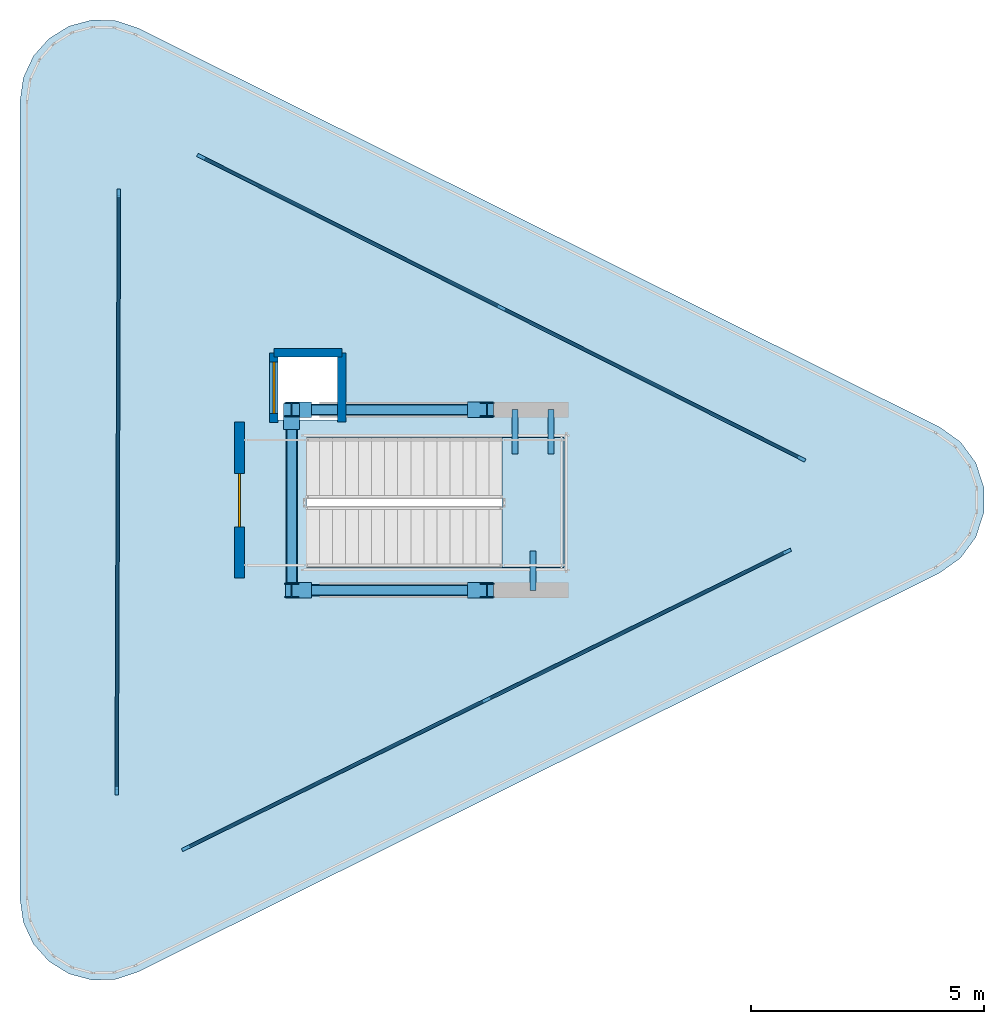
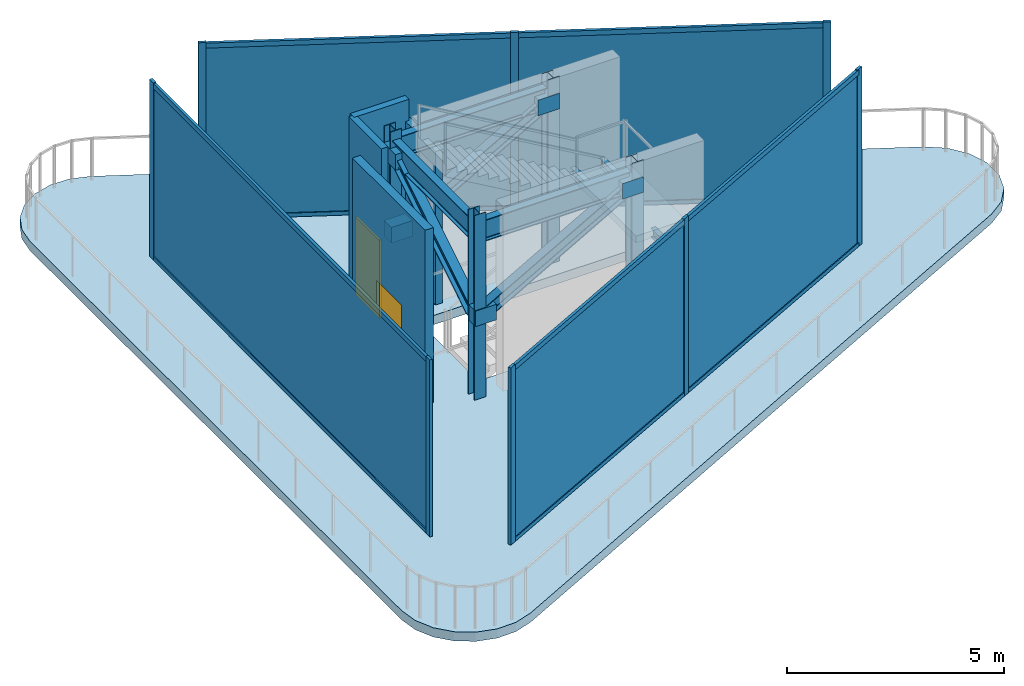
# One storey, part 1 of 3: 21 members, 10 plates, 6 beams, 4 columns, 4 walls, 2 doors, 2 slabs, 2 openings, 4 elements without a shape of their own.
"""IFC4 building model written with IfcOpenShell, lengths in metres."""

from ifc_helpers import new_model, si_unit, direction, frame, frame_2d, origin, origin_2d, place, context, subcontext, project, spatial, polyline, rectangle, i_section, outline, extrude, source, transform, mapped, material, layer, layer_set, material_profile, profile_set, type_object, element, fill, aggregate, save


model = new_model("IFC4")

# Units and contexts
model_context = context("Model", 3, precision=1e-05, world=origin(), true_north=direction((0.0, 1.0)))
body_context = subcontext(model_context, "Body", "Model", "MODEL_VIEW")
ifc_project = project(units=[si_unit("LENGTHUNIT", "METRE"), si_unit("AREAUNIT", "SQUARE_METRE"), si_unit("VOLUMEUNIT", "CUBIC_METRE"), si_unit("PLANEANGLEUNIT", "RADIAN"), si_unit("MASSUNIT", "GRAM", prefix="KILO")], contexts=[model_context])

# Site, building, storey
site_placement = place(None, origin())
site = spatial("IfcSite", under=ifc_project, at=site_placement, CompositionType="ELEMENT")
building_placement = place(site_placement, origin())
building = spatial("IfcBuilding", under=site, at=building_placement, Name="Yunling Apex Tower", CompositionType="ELEMENT")
storey_placement = place(building_placement, frame((0.0, 0.0, 333.449951171875)))
storey = spatial("IfcBuildingStorey", under=building, at=storey_placement, Name="C04", CompositionType="ELEMENT", Elevation=333.449951171875)

# Columns
ifc_material_1 = material(Name="Steel Q355B", Category="steel")
ifc_material_profile_1 = material_profile(ifc_material_1, i_section(OverallWidth=0.300048828125, OverallDepth=0.300048828125, WebThickness=0.010009765625, FlangeThickness=0.014892578125, FilletRadius=0.01806640625, at=origin_2d()))
ifc_profile_set_1 = profile_set([ifc_material_profile_1], Name="Steel Q355B")
column_type = type_object("IfcColumnType", Name="CC-STL-3", PredefinedType="COLUMN", material=ifc_profile_set_1)
shared_shape_1 = source(origin(), body_context, "Body", "SweptSolid", [
    extrude(i_section(OverallWidth=0.300048828125, OverallDepth=0.300048828125, WebThickness=0.010009765625, FlangeThickness=0.014892578125, FilletRadius=0.01806640625, at=origin_2d()), origin(), (0.0, 0.0, 1.0), 5.199951171875),
])
for number, where, z_axis, x_axis, name in (
    (1, (-1.800048828125, -1.93994140625, 0.0), (0.0, 0.0, 1.0), (1.0, 0.0, 0.0), "C04 Crown Core Column CT1"),
    (2, (2.39990234375, 1.93994140625, 0.0), (0.0, 0.0, 1.0), (1.0, 0.0, 0.0), "C04 Crown Core Column CT2"),
    (3, (2.39990234375, -1.93994140625, 0.0), (0.0, 0.0, 1.0), (1.0, 0.0, 0.0), "C04 Crown Core Column CT3"),
    (4, (-1.800048828125, 1.93994140625, 0.0), (0.0, 0.0, 1.0), (1.0, 0.0, 0.0), "C04 Crown Core Column CT4"),
):
    element("IfcColumn", number, at=place(storey_placement, frame(where, z_axis=z_axis, x_axis=x_axis)), inside=storey, type_object=column_type, Name=name, PredefinedType="COLUMN", context=body_context, shape_type="MappedRepresentation", body=[
        mapped(shared_shape_1, transform((0.0, 0.0, 0.0), scale=1.0)),
    ])

# Beams
ifc_material_profile_2 = material_profile(ifc_material_1, i_section(OverallWidth=0.125, OverallDepth=0.25, WebThickness=0.006103515625, FlangeThickness=0.009033203125, FilletRadius=0.011962890625, at=origin_2d()))
ifc_profile_set_2 = profile_set([ifc_material_profile_2], Name="Steel Q355B")
beam_type_1 = type_object("IfcBeamType", Name="BL-LNT-1", PredefinedType="LINTEL", material=ifc_profile_set_2)
shared_shape_2 = source(origin(), body_context, "Body", "SweptSolid", [
    extrude(i_section(OverallWidth=0.125, OverallDepth=0.25, WebThickness=0.006103515625, FlangeThickness=0.009033203125, FilletRadius=0.011962890625, at=origin_2d()), origin(), (0.0, 0.0, 1.0), 0.949951171875),
])
for number, where, z_axis, x_axis, name in (
    (5, (3.0, 1.93994140625, 2.280029296875), (0.0, -1.0, 0.0), (1.0, 0.0, 0.0), "C04 ST-C1 Landing Bearing Corbel 1-1"),
    (6, (3.77001953125, 1.93994140625, 2.280029296875), (0.0, -1.0, 0.0), (1.0, 0.0, 0.0), "C04 ST-C1 Landing Bearing Corbel 1-2"),
):
    element("IfcBeam", number, at=place(storey_placement, frame(where, z_axis=z_axis, x_axis=x_axis)), inside=storey, type_object=beam_type_1, Name=name, PredefinedType="LINTEL", context=body_context, shape_type="MappedRepresentation", body=[
        mapped(shared_shape_2, transform((0.0, 0.0, 0.0), scale=1.0)),
    ])
shared_shape_3 = source(origin(), body_context, "Body", "SweptSolid", [
    extrude(i_section(OverallWidth=0.125, OverallDepth=0.25, WebThickness=0.006103515625, FlangeThickness=0.009033203125, FilletRadius=0.011962890625, at=origin_2d()), origin(), (0.0, 0.0, 1.0), 0.83984375),
])
beam_1_placement = place(storey_placement, frame((3.385009765625, -1.93994140625, 2.280029296875), z_axis=(0.0, 1.0, 0.0), x_axis=(-1.0, 0.0, 0.0)))
element("IfcBeam", 7, at=beam_1_placement, inside=storey, type_object=beam_type_1, Name="C04 ST-C1 Landing Bearing Corbel 1-3", PredefinedType="LINTEL", context=body_context, shape_type="MappedRepresentation", body=[
    mapped(shared_shape_3, transform((0.0, 0.0, 0.0), scale=1.0)),
])
ifc_material_profile_3 = material_profile(ifc_material_1, i_section(OverallWidth=0.199951171875, OverallDepth=0.60009765625, WebThickness=0.010986328125, FlangeThickness=0.01708984375, FilletRadius=0.02197265625, at=origin_2d()))
ifc_profile_set_3 = profile_set([ifc_material_profile_3], Name="Steel Q355B")
beam_type_2 = type_object("IfcBeamType", Name="BG-PRI-5", PredefinedType="USERDEFINED", material=ifc_profile_set_3)
shared_shape_4 = source(origin(), body_context, "Body", "SweptSolid", [
    extrude(i_section(OverallWidth=0.199951171875, OverallDepth=0.60009765625, WebThickness=0.010986328125, FlangeThickness=0.01708984375, FilletRadius=0.02197265625, at=origin_2d()), origin(), (0.0, 0.0, 1.0), 3.909912109375),
])
for number, where, z_axis, x_axis, name in (
    (8, (-1.655029296875, 1.93994140625, 4.64013671875), (1.0, 0.0, 0.0), (0.0, 1.0, 0.0), "C04 Crown Core Support Girder 1"),
    (9, (-1.655029296875, -1.93994140625, 4.64013671875), (1.0, 0.0, 0.0), (0.0, 1.0, 0.0), "C04 Crown Core Support Girder 2"),
):
    element("IfcBeam", number, at=place(storey_placement, frame(where, z_axis=z_axis, x_axis=x_axis)), inside=storey, type_object=beam_type_2, Name=name, ObjectType="GIRDER", PredefinedType="USERDEFINED", context=body_context, shape_type="MappedRepresentation", body=[
        mapped(shared_shape_4, transform((0.0, 0.0, 0.0), scale=1.0)),
    ])
shared_shape_5 = source(origin(), body_context, "Body", "SweptSolid", [
    extrude(i_section(OverallWidth=0.199951171875, OverallDepth=0.60009765625, WebThickness=0.010986328125, FlangeThickness=0.01708984375, FilletRadius=0.02197265625, at=origin_2d()), origin(), (0.0, 0.0, 1.0), 3.58984375),
])
beam_2_placement = place(storey_placement, frame((-1.800048828125, -1.794921875, 4.64013671875), z_axis=(0.0, 1.0, 0.0), x_axis=(-1.0, 0.0, 0.0)))
element("IfcBeam", 10, at=beam_2_placement, inside=storey, type_object=beam_type_2, Name="C04 Crown Core Support Girder 3", ObjectType="GIRDER", PredefinedType="USERDEFINED", context=body_context, shape_type="MappedRepresentation", body=[
    mapped(shared_shape_5, transform((0.0, 0.0, 0.0), scale=1.0)),
])

# Members
ifc_material_profile_4 = material_profile(ifc_material_1, i_section(OverallWidth=0.25, OverallDepth=0.35009765625, WebThickness=0.011962890625, FlangeThickness=0.02001953125, FilletRadius=0.01611328125, at=origin_2d()))
ifc_profile_set_4 = profile_set([ifc_material_profile_4], Name="Steel Q355B")
member_type_1 = type_object("IfcMemberType", Name="CR-RIB-2", PredefinedType="RAFTER", material=ifc_profile_set_4)
shared_shape_6 = source(origin(), body_context, "Body", "SweptSolid", [
    extrude(i_section(OverallWidth=0.25, OverallDepth=0.35009765625, WebThickness=0.011962890625, FlangeThickness=0.02001953125, FilletRadius=0.01611328125, at=origin_2d()), origin(), (0.0, 0.0, 1.0), 4.49609375),
])
for number, where, z_axis, x_axis, name in (
    (11, (-1.655029296875, -1.93994140625, 2.300048828125), (0.869606524718, 0.0, 0.493745371793), (0.0, 1.0, 0.0), "C04 Crown Upper Structural Rafter 1"),
    (12, (-1.655029296875, 1.93994140625, 2.300048828125), (0.869606524718, 0.0, 0.493745371793), (0.0, 1.0, 0.0), "C04 Crown Upper Structural Rafter 2"),
):
    element("IfcMember", number, at=place(storey_placement, frame(where, z_axis=z_axis, x_axis=x_axis)), inside=storey, type_object=member_type_1, Name=name, PredefinedType="RAFTER", context=body_context, shape_type="MappedRepresentation", body=[
        mapped(shared_shape_6, transform((0.0, 0.0, 0.0), scale=1.0)),
    ])
shared_shape_7 = source(origin(), body_context, "Body", "SweptSolid", [
    extrude(i_section(OverallWidth=0.25, OverallDepth=0.35009765625, WebThickness=0.011962890625, FlangeThickness=0.02001953125, FilletRadius=0.01611328125, at=origin_2d()), origin(), (0.0, 0.0, 1.0), 4.220703125),
])
member_1_placement = place(storey_placement, frame((-1.800048828125, -1.794921875, 2.300048828125), z_axis=(0.0, 0.850510361782, 0.5259582916), x_axis=(-1.0, 0.0, 0.0)))
element("IfcMember", 13, at=member_1_placement, inside=storey, type_object=member_type_1, Name="C04 Crown Upper Structural Rafter 3", PredefinedType="RAFTER", context=body_context, shape_type="MappedRepresentation", body=[
    mapped(shared_shape_7, transform((0.0, 0.0, 0.0), scale=1.0)),
])

# Curtain wall, members
ifc_material_2 = material(Name="Bronze anodised aluminium", Category="aluminium")
ifc_layer_1 = layer(ifc_material_2, 0.179931640625)
ifc_layer_set_1 = layer_set([ifc_layer_1], Name="Bronze anodised aluminium")
curtain_wall_type = type_object("IfcCurtainWallType", Name="CW-SYS-6", PredefinedType="NOTDEFINED", material=ifc_layer_set_1)
curtain_wall_1_placement = place(storey_placement, origin())
curtain_wall_1 = element("IfcCurtainWall", 14, at=curtain_wall_1_placement, inside=storey, type_object=curtain_wall_type, Name="CW-C04-01", PredefinedType="NOTDEFINED")
ifc_material_profile_5 = material_profile(ifc_material_2, rectangle(XDim=0.074951171875, YDim=0.179931640625, at=origin_2d()))
ifc_profile_set_5 = profile_set([ifc_material_profile_5], Name="Bronze anodised aluminium")
member_type_2 = type_object("IfcMemberType", Name="CW-MUL-6", PredefinedType="MULLION", material=ifc_profile_set_5)
shared_shape_8 = source(origin(), body_context, "Body", "SweptSolid", [
    extrude(rectangle(XDim=0.074951171875, YDim=0.179931640625, at=origin_2d()), origin(), (0.0, 0.0, 1.0), 5.0400390625),
])
member_2_placement = place(storey_placement, frame((-5.55908203125, -6.248046875, -0.050048828125), z_axis=(0.0, 0.0, 1.0), x_axis=(-0.999992743057, 0.003809702649, 0.0)))
member_2 = element("IfcMember", 15, at=member_2_placement, type_object=member_type_2, Name="CW-SYS-6 mullion 1", PredefinedType="MULLION", context=body_context, shape_type="MappedRepresentation", body=[
    mapped(shared_shape_8, transform((0.0, 0.0, 0.0), scale=1.0)),
])
member_3_placement = place(storey_placement, frame((-5.51025390625, 6.59130859375, -0.050048828125), z_axis=(0.0, 0.0, 1.0), x_axis=(-0.999992743057, 0.003809702649, 0.0)))
member_3 = element("IfcMember", 16, at=member_3_placement, type_object=member_type_2, Name="CW-SYS-6 mullion 2", PredefinedType="MULLION", context=body_context, shape_type="MappedRepresentation", body=[
    mapped(shared_shape_8, transform((0.0, 0.0, 0.0), scale=1.0)),
])

curtain_wall_2_placement = place(storey_placement, origin())
curtain_wall_2 = element("IfcCurtainWall", 17, at=curtain_wall_2_placement, inside=storey, type_object=curtain_wall_type, Name="CW-C04-05", PredefinedType="NOTDEFINED")
member_4_placement = place(storey_placement, frame((-3.743408203125, 7.37255859375, -0.050048828125), z_axis=(0.0, 0.0, 1.0), x_axis=(0.449197104279, 0.893432684374, 0.0)))
member_4 = element("IfcMember", 18, at=member_4_placement, type_object=member_type_2, Name="CW-SYS-6 mullion 1", PredefinedType="MULLION", context=body_context, shape_type="MappedRepresentation", body=[
    mapped(shared_shape_8, transform((0.0, 0.0, 0.0), scale=1.0)),
])
member_5_placement = place(storey_placement, frame((2.70556640625, 4.1298828125, -0.050048828125), z_axis=(0.0, 0.0, 1.0), x_axis=(0.449197104279, 0.893432684374, 0.0)))
member_5 = element("IfcMember", 19, at=member_5_placement, type_object=member_type_2, Name="CW-SYS-6 mullion 2", PredefinedType="MULLION", context=body_context, shape_type="MappedRepresentation", body=[
    mapped(shared_shape_8, transform((0.0, 0.0, 0.0), scale=1.0)),
])
member_6_placement = place(storey_placement, frame((9.15478515625, 0.887451171875, -0.050048828125), z_axis=(0.0, 0.0, 1.0), x_axis=(0.449197104279, 0.893432684374, 0.0)))
member_6 = element("IfcMember", 20, at=member_6_placement, type_object=member_type_2, Name="CW-SYS-6 mullion 3", PredefinedType="MULLION", context=body_context, shape_type="MappedRepresentation", body=[
    mapped(shared_shape_8, transform((0.0, 0.0, 0.0), scale=1.0)),
])

curtain_wall_3_placement = place(storey_placement, origin())
curtain_wall_3 = element("IfcCurtainWall", 21, at=curtain_wall_3_placement, inside=storey, type_object=curtain_wall_type, Name="CW-C04-09", PredefinedType="NOTDEFINED")
member_7_placement = place(storey_placement, frame((8.8466796875, -1.106201171875, -0.050048828125), z_axis=(0.0, 0.0, 1.0), x_axis=(0.442517314531, -0.896759960268, 0.0)))
member_7 = element("IfcMember", 22, at=member_7_placement, type_object=member_type_2, Name="CW-SYS-6 mullion 1", PredefinedType="MULLION", context=body_context, shape_type="MappedRepresentation", body=[
    mapped(shared_shape_8, transform((0.0, 0.0, 0.0), scale=1.0)),
])
member_8_placement = place(storey_placement, frame((2.386962890625, -4.2939453125, -0.050048828125), z_axis=(0.0, 0.0, 1.0), x_axis=(0.442517314531, -0.896759960268, 0.0)))
member_8 = element("IfcMember", 23, at=member_8_placement, type_object=member_type_2, Name="CW-SYS-6 mullion 2", PredefinedType="MULLION", context=body_context, shape_type="MappedRepresentation", body=[
    mapped(shared_shape_8, transform((0.0, 0.0, 0.0), scale=1.0)),
])
member_9_placement = place(storey_placement, frame((-4.072509765625, -7.4814453125, -0.050048828125), z_axis=(0.0, 0.0, 1.0), x_axis=(0.442517314531, -0.896759960268, 0.0)))
member_9 = element("IfcMember", 24, at=member_9_placement, type_object=member_type_2, Name="CW-SYS-6 mullion 3", PredefinedType="MULLION", context=body_context, shape_type="MappedRepresentation", body=[
    mapped(shared_shape_8, transform((0.0, 0.0, 0.0), scale=1.0)),
])

# Member
ifc_material_profile_6 = material_profile(ifc_material_2, rectangle(XDim=0.074951171875, YDim=0.139892578125, at=origin_2d()))
ifc_profile_set_6 = profile_set([ifc_material_profile_6], Name="Bronze anodised aluminium")
member_type_3 = type_object("IfcMemberType", Name="CW-TRN-6", PredefinedType="USERDEFINED", material=ifc_profile_set_6)
shared_shape_9 = source(origin(), body_context, "Body", "SweptSolid", [
    extrude(rectangle(XDim=0.074951171875, YDim=0.139892578125, at=origin_2d()), origin(), (0.0, 0.0, 1.0), 12.771728515625),
])
member_10_placement = place(storey_placement, frame((-5.558837890625, -6.21435546875, 0.03759765625), z_axis=(0.003803998245, 0.999992764773, 0.0), x_axis=(-0.999992764773, 0.003803998245, 0.0)))
member_10 = element("IfcMember", 25, at=member_10_placement, type_object=member_type_3, Name="CW-SYS-6 transom 1.1", ObjectType="TRANSOM", PredefinedType="USERDEFINED", context=body_context, shape_type="MappedRepresentation", body=[
    mapped(shared_shape_9, transform((0.0, 0.0, 0.0), scale=1.0)),
])

member_11_placement = place(storey_placement, frame((-5.558837890625, -6.21435546875, 4.902587890625), z_axis=(0.003803998245, 0.999992764773, 0.0), x_axis=(-0.999992764773, 0.003803998245, 0.0)))
member_11 = element("IfcMember", 26, at=member_11_placement, type_object=member_type_3, Name="CW-SYS-6 transom 1.2", ObjectType="TRANSOM", PredefinedType="USERDEFINED", context=body_context, shape_type="MappedRepresentation", body=[
    mapped(shared_shape_9, transform((0.0, 0.0, 0.0), scale=1.0)),
])

shared_shape_10 = source(origin(), body_context, "Body", "SweptSolid", [
    extrude(rectangle(XDim=0.074951171875, YDim=0.139892578125, at=origin_2d()), origin(), (0.0, 0.0, 1.0), 7.15087890625),
])
member_12_placement = place(storey_placement, frame((-3.71337890625, 7.357177734375, 0.03759765625), z_axis=(0.893448612452, -0.449165422653, 0.0), x_axis=(0.449165422653, 0.893448612452, 0.0)))
member_12 = element("IfcMember", 27, at=member_12_placement, type_object=member_type_3, Name="CW-SYS-6 transom 1.1", ObjectType="TRANSOM", PredefinedType="USERDEFINED", context=body_context, shape_type="MappedRepresentation", body=[
    mapped(shared_shape_10, transform((0.0, 0.0, 0.0), scale=1.0)),
])

member_13_placement = place(storey_placement, frame((-3.71337890625, 7.357177734375, 4.902587890625), z_axis=(0.893448612452, -0.449165422653, 0.0), x_axis=(0.449165422653, 0.893448612452, 0.0)))
member_13 = element("IfcMember", 28, at=member_13_placement, type_object=member_type_3, Name="CW-SYS-6 transom 1.2", ObjectType="TRANSOM", PredefinedType="USERDEFINED", context=body_context, shape_type="MappedRepresentation", body=[
    mapped(shared_shape_10, transform((0.0, 0.0, 0.0), scale=1.0)),
])

shared_shape_11 = source(origin(), body_context, "Body", "SweptSolid", [
    extrude(rectangle(XDim=0.074951171875, YDim=0.139892578125, at=origin_2d()), origin(), (0.0, 0.0, 1.0), 7.150634765625),
])
member_14_placement = place(storey_placement, frame((2.73583984375, 4.11474609375, 0.03759765625), z_axis=(0.893428021978, -0.449206377452, 0.0), x_axis=(0.449206377452, 0.893428021978, 0.0)))
member_14 = element("IfcMember", 29, at=member_14_placement, type_object=member_type_3, Name="CW-SYS-6 transom 2.1", ObjectType="TRANSOM", PredefinedType="USERDEFINED", context=body_context, shape_type="MappedRepresentation", body=[
    mapped(shared_shape_11, transform((0.0, 0.0, 0.0), scale=1.0)),
])

member_15_placement = place(storey_placement, frame((2.73583984375, 4.11474609375, 4.902587890625), z_axis=(0.893428021978, -0.449206377452, 0.0), x_axis=(0.449206377452, 0.893428021978, 0.0)))
member_15 = element("IfcMember", 30, at=member_15_placement, type_object=member_type_3, Name="CW-SYS-6 transom 2.2", ObjectType="TRANSOM", PredefinedType="USERDEFINED", context=body_context, shape_type="MappedRepresentation", body=[
    mapped(shared_shape_11, transform((0.0, 0.0, 0.0), scale=1.0)),
])

shared_shape_12 = source(origin(), body_context, "Body", "SweptSolid", [
    extrude(rectangle(XDim=0.074951171875, YDim=0.139892578125, at=origin_2d()), origin(), (0.0, 0.0, 1.0), 7.1357421875),
])
member_16_placement = place(storey_placement, frame((8.81640625, -1.121337890625, 0.03759765625), z_axis=(-0.896775474821, -0.442485872949, 0.0), x_axis=(0.442485872949, -0.896775474821, 0.0)))
member_16 = element("IfcMember", 31, at=member_16_placement, type_object=member_type_3, Name="CW-SYS-6 transom 1.1", ObjectType="TRANSOM", PredefinedType="USERDEFINED", context=body_context, shape_type="MappedRepresentation", body=[
    mapped(shared_shape_12, transform((0.0, 0.0, 0.0), scale=1.0)),
])

member_17_placement = place(storey_placement, frame((8.81640625, -1.121337890625, 4.902587890625), z_axis=(-0.896775474821, -0.442485872949, 0.0), x_axis=(0.442485872949, -0.896775474821, 0.0)))
member_17 = element("IfcMember", 32, at=member_17_placement, type_object=member_type_3, Name="CW-SYS-6 transom 1.2", ObjectType="TRANSOM", PredefinedType="USERDEFINED", context=body_context, shape_type="MappedRepresentation", body=[
    mapped(shared_shape_12, transform((0.0, 0.0, 0.0), scale=1.0)),
])

member_18_placement = place(storey_placement, frame((2.356689453125, -4.308837890625, 0.03759765625), z_axis=(-0.896755198377, -0.442526964358, 0.0), x_axis=(0.442526964358, -0.896755198377, 0.0)))
member_18 = element("IfcMember", 33, at=member_18_placement, type_object=member_type_3, Name="CW-SYS-6 transom 2.1", ObjectType="TRANSOM", PredefinedType="USERDEFINED", context=body_context, shape_type="MappedRepresentation", body=[
    mapped(shared_shape_12, transform((0.0, 0.0, 0.0), scale=1.0)),
])

member_19_placement = place(storey_placement, frame((2.356689453125, -4.308837890625, 4.902587890625), z_axis=(-0.896755198377, -0.442526964358, 0.0), x_axis=(0.442526964358, -0.896755198377, 0.0)))
member_19 = element("IfcMember", 34, at=member_19_placement, type_object=member_type_3, Name="CW-SYS-6 transom 2.2", ObjectType="TRANSOM", PredefinedType="USERDEFINED", context=body_context, shape_type="MappedRepresentation", body=[
    mapped(shared_shape_12, transform((0.0, 0.0, 0.0), scale=1.0)),
])

# Slab
ifc_material_3 = material(Name="Concrete C40", Category="concrete")
ifc_layer_2 = layer(ifc_material_3, 0.260009765625)
ifc_layer_set_2 = layer_set([ifc_layer_2], Name="Concrete C40")
slab_type_1 = type_object("IfcSlabType", Name="SL-CRN-1", PredefinedType="FLOOR", material=ifc_layer_set_2)
slab_1_placement = place(storey_placement, frame((0.0, 0.0, -0.260009765625)))
element("IfcSlab", 35, at=slab_1_placement, inside=storey, type_object=slab_type_1, Name="C04 Crown Plant & Maintenance Slab", PredefinedType="FLOOR", context=body_context, shape_type="SweptSolid", body=[
    extrude(outline(polyline([(-7.635009765625, -8.57421875), (-7.561767578125, -9.0751953125), (-7.34814453125, -9.534423828125), (-7.011962890625, -9.9130859375), (-6.58154296875, -10.1796875), (-6.092529296875, -10.31201171875), (-5.58642578125, -10.298583984375), (-5.105224609375, -10.140869140625), (12.122314453125, -1.566650390625), (12.571533203125, -1.24560546875), (12.8984375, -0.80078125), (13.070556640625, -0.276123046875), (13.070556640625, 0.276123046875), (12.8984375, 0.80078125), (12.571533203125, 1.24560546875), (12.122314453125, 1.566650390625), (-5.105224609375, 10.140869140625), (-5.58642578125, 10.298583984375), (-6.092529296875, 10.31201171875), (-6.58154296875, 10.1796875), (-7.011962890625, 9.9130859375), (-7.34814453125, 9.534423828125), (-7.561767578125, 9.0751953125), (-7.635009765625, 8.57421875), (-7.635009765625, -8.57421875)]), holes=[polyline([(4.050048828125, -1.449951171875), (-1.47998046875, -1.449951171875), (-1.47998046875, 1.340087890625), (4.050048828125, 1.340087890625), (4.050048828125, -1.449951171875)]), polyline([(-0.7900390625, 1.715087890625), (-2.110107421875, 1.715087890625), (-2.110107421875, 3.0849609375), (-0.7900390625, 3.0849609375), (-0.7900390625, 1.715087890625)])]), origin(), (0.0, 0.0, 1.0), 0.260009765625),
])

# Stair, slab
stair_type = type_object("IfcStairType", Name="ST-CRN-1", PredefinedType="STRAIGHT_RUN_STAIR", material=ifc_material_3)
stair_placement = place(storey_placement, origin())
stair = element("IfcStair", 36, at=stair_placement, inside=storey, type_object=stair_type, Name="C04 Crown Maintenance Access Stair ST-C1", PredefinedType="HALF_TURN_STAIR")
ifc_layer_3 = layer(ifc_material_3, 0.195068359375)
ifc_layer_set_3 = layer_set([ifc_layer_3], Name="Concrete C40")
slab_type_2 = type_object("IfcSlabType", Name="SL-LND-1", PredefinedType="LANDING", material=ifc_layer_set_3)
slab_2_placement = place(storey_placement, frame((0.0, 0.0, 2.405029296875)))
slab_2 = element("IfcSlab", 37, at=slab_2_placement, type_object=slab_type_2, Name="ST-C1 landing 1", PredefinedType="LANDING", context=body_context, shape_type="SweptSolid", body=[
    extrude(outline(polyline([(2.719970703125, -1.449951171875), (4.050048828125, -1.449951171875), (4.050048828125, 1.340087890625), (2.719970703125, 1.340087890625), (2.719970703125, -1.449951171875)])), origin(), (0.0, 0.0, 1.0), 0.195068359375),
])
aggregate(stair, [slab_2])

# Plates
ifc_layer_4 = layer(ifc_material_1, 0.031982421875)
ifc_layer_set_4 = layer_set([ifc_layer_4], Name="Steel Q355B")
plate_type_1 = type_object("IfcPlateType", Name="NP-GUS-2", PredefinedType="USERDEFINED", material=ifc_layer_set_4)
shared_shape_13 = source(origin(), body_context, "Body", "SweptSolid", [
    extrude(rectangle(XDim=0.56005859375, YDim=0.340087890625, at=origin_2d()), origin(), (0.0, 0.0, 1.0), 0.43994140625),
])
for number, where, z_axis, x_axis, name in (
    (38, (-1.655029296875, -1.93994140625, 2.080078125), (0.0, 0.0, 1.0), (1.0, 0.0, 0.0), "C04 Crown Upper Rafter Foot Gusset Plate 422"),
    (39, (2.2548828125, -1.93994140625, 4.300048828125), (0.0, 0.0, 1.0), (1.0, 0.0, 0.0), "C04 Crown Upper Rafter Head Gusset Plate 423"),
    (40, (-1.655029296875, 1.93994140625, 2.080078125), (0.0, 0.0, 1.0), (1.0, 0.0, 0.0), "C04 Crown Upper Rafter Foot Gusset Plate 424"),
    (41, (2.2548828125, 1.93994140625, 4.300048828125), (0.0, 0.0, 1.0), (1.0, 0.0, 0.0), "C04 Crown Upper Rafter Head Gusset Plate 425"),
    (42, (-1.800048828125, 1.794921875, 4.300048828125), (0.0, 0.0, 1.0), (0.0, 1.0, 0.0), "C04 Crown Upper Rafter Head Gusset Plate 426"),
):
    element("IfcPlate", number, at=place(storey_placement, frame(where, z_axis=z_axis, x_axis=x_axis)), inside=storey, type_object=plate_type_1, Name=name, ObjectType="GUSSET_PLATE", PredefinedType="USERDEFINED", context=body_context, shape_type="MappedRepresentation", body=[
        mapped(shared_shape_13, transform((0.0, 0.0, 0.0), scale=1.0)),
    ])

# Plate
ifc_material_4 = material(Name="Bronze fritted laminated crown glass", Category="glass")
ifc_layer_5 = layer(ifc_material_4, 0.02587890625)
ifc_layer_set_5 = layer_set([ifc_layer_5], Name="Bronze fritted laminated crown glass")
plate_type_2 = type_object("IfcPlateType", Name="CW-PNL-6", PredefinedType="CURTAIN_PANEL", material=ifc_layer_set_5)
shared_shape_14 = source(origin(), body_context, "Body", "SweptSolid", [
    extrude(rectangle(XDim=12.77978515625, YDim=0.02587890625, at=origin_2d()), origin(), (0.0, 0.0, 1.0), 4.805419921875),
])
plate_1_placement = place(storey_placement, frame((-5.53466796875, 0.171630859375, 0.0673828125), z_axis=(0.0, 0.0, 1.0), x_axis=(0.003809702649, 0.999992743057, 0.0)))
plate_1 = element("IfcPlate", 43, at=plate_1_placement, type_object=plate_type_2, Name="CW-SYS-6 panel 1.1", PredefinedType="CURTAIN_PANEL", context=body_context, shape_type="MappedRepresentation", body=[
    mapped(shared_shape_14, transform((0.0, 0.0, 0.0), scale=1.0)),
])

aggregate(curtain_wall_1, [member_2, member_3, member_10, member_11, plate_1])

shared_shape_15 = source(origin(), body_context, "Body", "SweptSolid", [
    extrude(rectangle(XDim=7.158935546875, YDim=0.02587890625, at=origin_2d()), origin(), (0.0, 0.0, 1.0), 4.805419921875),
])
plate_2_placement = place(storey_placement, frame((-0.51904296875, 5.751220703125, 0.0673828125), z_axis=(0.0, 0.0, 1.0), x_axis=(0.893432684374, -0.449197104279, 0.0)))
plate_2 = element("IfcPlate", 44, at=plate_2_placement, type_object=plate_type_2, Name="CW-SYS-6 panel 1.1", PredefinedType="CURTAIN_PANEL", context=body_context, shape_type="MappedRepresentation", body=[
    mapped(shared_shape_15, transform((0.0, 0.0, 0.0), scale=1.0)),
])

plate_3_placement = place(storey_placement, frame((5.93017578125, 2.5087890625, 0.0673828125), z_axis=(0.0, 0.0, 1.0), x_axis=(0.893432684374, -0.449197104279, 0.0)))
plate_3 = element("IfcPlate", 45, at=plate_3_placement, type_object=plate_type_2, Name="CW-SYS-6 panel 2.1", PredefinedType="CURTAIN_PANEL", context=body_context, shape_type="MappedRepresentation", body=[
    mapped(shared_shape_15, transform((0.0, 0.0, 0.0), scale=1.0)),
])

aggregate(curtain_wall_2, [member_4, member_5, member_6, member_12, member_13, plate_2, member_14, member_15, plate_3])

shared_shape_16 = source(origin(), body_context, "Body", "SweptSolid", [
    extrude(rectangle(XDim=7.143798828125, YDim=0.02587890625, at=origin_2d()), origin(), (0.0, 0.0, 1.0), 4.805419921875),
])
plate_4_placement = place(storey_placement, frame((5.61669921875, -2.699951171875, 0.0673828125), z_axis=(0.0, 0.0, 1.0), x_axis=(-0.896759960268, -0.442517314531, 0.0)))
plate_4 = element("IfcPlate", 46, at=plate_4_placement, type_object=plate_type_2, Name="CW-SYS-6 panel 1.1", PredefinedType="CURTAIN_PANEL", context=body_context, shape_type="MappedRepresentation", body=[
    mapped(shared_shape_16, transform((0.0, 0.0, 0.0), scale=1.0)),
])

plate_5_placement = place(storey_placement, frame((-0.8427734375, -5.8876953125, 0.0673828125), z_axis=(0.0, 0.0, 1.0), x_axis=(-0.896759960268, -0.442517314531, 0.0)))
plate_5 = element("IfcPlate", 47, at=plate_5_placement, type_object=plate_type_2, Name="CW-SYS-6 panel 2.1", PredefinedType="CURTAIN_PANEL", context=body_context, shape_type="MappedRepresentation", body=[
    mapped(shared_shape_16, transform((0.0, 0.0, 0.0), scale=1.0)),
])

aggregate(curtain_wall_3, [member_7, member_8, member_9, member_16, member_17, plate_4, member_18, member_19, plate_5])

# Wall, opening, door
ifc_material_5 = material(Name="Autoclaved aerated concrete masonry", Category="masonry")
ifc_layer_6 = layer(ifc_material_5, 0.219970703125)
ifc_layer_set_6 = layer_set([ifc_layer_6], Name="Autoclaved aerated concrete masonry")
wall_type_1 = type_object("IfcWallType", Name="WL-SHF-1", PredefinedType="PLUMBINGWALL", material=ifc_layer_set_6)
wall_1_placement = place(storey_placement, frame((-2.919921875, -1.679931640625, 0.0), z_axis=(0.0, 0.0, 1.0), x_axis=(0.0, 1.0, 0.0)))
wall_1 = element("IfcWall", 48, at=wall_1_placement, inside=storey, type_object=wall_type_1, Name="WL-STC1-W-C04", PredefinedType="PLUMBINGWALL", context=body_context, shape_type="SweptSolid", body=[
    extrude(rectangle(XDim=3.35986328125, YDim=0.219970703125, at=frame_2d((1.679931640625, 0.0))), origin(), (0.0, 0.0, 1.0), 4.920166015625),
])
opening_1_placement = place(wall_1_placement, frame((1.10009765625, 0.0, 0.0)))
opening_1 = element("IfcOpeningElement", 49, at=opening_1_placement, cuts=wall_1, Name="Opening DR-ST-1", PredefinedType="OPENING", context=body_context, shape_type="SweptSolid", body=[
    extrude(rectangle(XDim=1.14990234375, YDim=2.14990234375, at=frame_2d((0.574951171875, 1.074951171875))), frame((0.0, 0.1201171875, 0.0), z_axis=(0.0, -1.0, 0.0), x_axis=(1.0, 0.0, 0.0)), (0.0, 0.0, 1.0), 0.239990234375),
])
door_type_1 = type_object("IfcDoorType", Name="DR-ST-1", OperationType="NOTDEFINED", PredefinedType="DOOR", material=ifc_material_1)
door_1_placement = place(opening_1_placement, origin())
door_1 = element("IfcDoor", 50, at=door_1_placement, inside=storey, type_object=door_type_1, Name="C04 Crown Stair Door", OperationType="SINGLE_SWING_RIGHT", OverallHeight=2.14990234375, OverallWidth=1.14990234375, PredefinedType="DOOR", context=body_context, shape_type="SweptSolid", body=[
    extrude(rectangle(XDim=1.14990234375, YDim=2.14990234375, at=frame_2d((0.574951171875, 1.074951171875))), frame((0.0, 0.02490234375, 0.0), z_axis=(0.0, -1.0, 0.0), x_axis=(1.0, 0.0, 0.0)), (0.0, 0.0, 1.0), 0.050048828125),
])
fill(opening_1, door_1)

# Wall
ifc_layer_7 = layer(ifc_material_5, 0.179931640625)
ifc_layer_set_7 = layer_set([ifc_layer_7], Name="Autoclaved aerated concrete masonry")
wall_type_2 = type_object("IfcWallType", Name="WL-SHF-2", PredefinedType="PLUMBINGWALL", material=ifc_layer_set_7)
wall_2_placement = place(storey_placement, frame((-2.179931640625, 3.159912109375, 0.0), z_axis=(0.0, 0.0, 1.0), x_axis=(1.0, 0.0, 0.0)))
element("IfcWall", 51, at=wall_2_placement, inside=storey, type_object=wall_type_2, Name="WL-SVLC1-N-C04", PredefinedType="PLUMBINGWALL", context=body_context, shape_type="SweptSolid", body=[
    extrude(rectangle(XDim=1.4599609375, YDim=0.179931640625, at=frame_2d((0.72998046875, 0.0))), origin(), (0.0, 0.0, 1.0), 4.920166015625),
])

# Wall, opening, door
wall_3_placement = place(storey_placement, frame((-2.179931640625, 1.659912109375, 0.0), z_axis=(0.0, 0.0, 1.0), x_axis=(0.0, 1.0, 0.0)))
wall_3 = element("IfcWall", 52, at=wall_3_placement, inside=storey, type_object=wall_type_2, Name="WL-SVLC1-W-C04", PredefinedType="PLUMBINGWALL", context=body_context, shape_type="SweptSolid", body=[
    extrude(rectangle(XDim=1.5, YDim=0.179931640625, at=frame_2d((0.75, 0.0))), origin(), (0.0, 0.0, 1.0), 4.920166015625),
])
opening_2_placement = place(wall_3_placement, frame((0.199951171875, 0.0, 0.0)))
opening_2 = element("IfcOpeningElement", 53, at=opening_2_placement, cuts=wall_3, Name="Opening LD-PAS-1", PredefinedType="OPENING", context=body_context, shape_type="SweptSolid", body=[
    extrude(rectangle(XDim=1.10009765625, YDim=2.199951171875, at=frame_2d((0.550048828125, 1.10009765625))), frame((0.0, 0.10009765625, 0.0), z_axis=(0.0, -1.0, 0.0), x_axis=(1.0, 0.0, 0.0)), (0.0, 0.0, 1.0), 0.199951171875),
])
ifc_material_6 = material(Name="Silver anodised aluminium", Category="aluminium")
door_type_2 = type_object("IfcDoorType", Name="LD-PAS-1", OperationType="DOUBLE_DOOR_SLIDING", PredefinedType="DOOR", material=ifc_material_6)
door_2_placement = place(opening_2_placement, origin())
door_2 = element("IfcDoor", 54, at=door_2_placement, inside=storey, type_object=door_type_2, Name="C04 Lift SVL-C1 Landing Door", OperationType="DOUBLE_DOOR_SLIDING", OverallHeight=2.199951171875, OverallWidth=1.10009765625, PredefinedType="DOOR", context=body_context, shape_type="SweptSolid", body=[
    extrude(rectangle(XDim=1.10009765625, YDim=2.199951171875, at=frame_2d((0.550048828125, 1.10009765625))), frame((0.0, 0.02490234375, 0.0), z_axis=(0.0, -1.0, 0.0), x_axis=(1.0, 0.0, 0.0)), (0.0, 0.0, 1.0), 0.050048828125),
])
fill(opening_2, door_2)

# Wall
wall_4_placement = place(storey_placement, frame((-0.719970703125, 1.679931640625, 0.0), z_axis=(0.0, 0.0, 1.0), x_axis=(0.0, 1.0, 0.0)))
element("IfcWall", 55, at=wall_4_placement, inside=storey, type_object=wall_type_2, Name="WL-SVLC1-E-C04", PredefinedType="PLUMBINGWALL", context=body_context, shape_type="SweptSolid", body=[
    extrude(rectangle(XDim=1.47998046875, YDim=0.179931640625, at=frame_2d((0.739990234375, 0.0))), origin(), (0.0, 0.0, 1.0), 4.324951171875),
])

save(model, "model.ifc")
